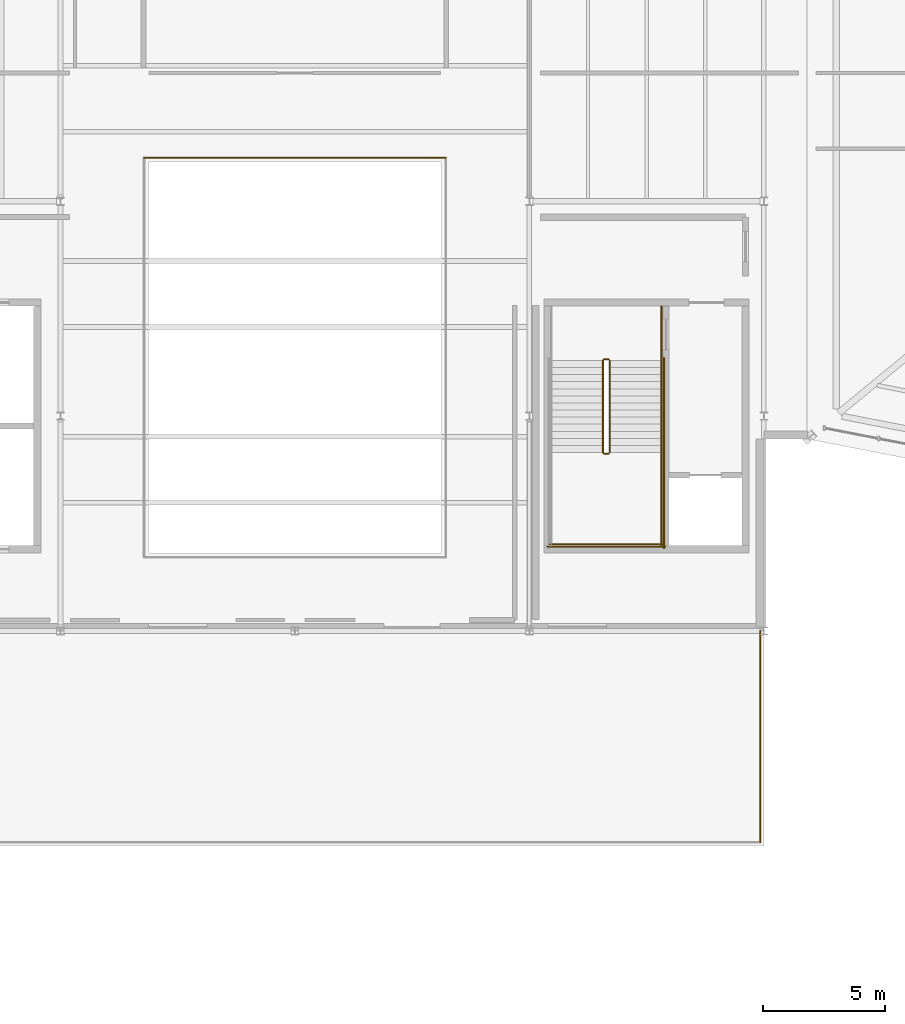
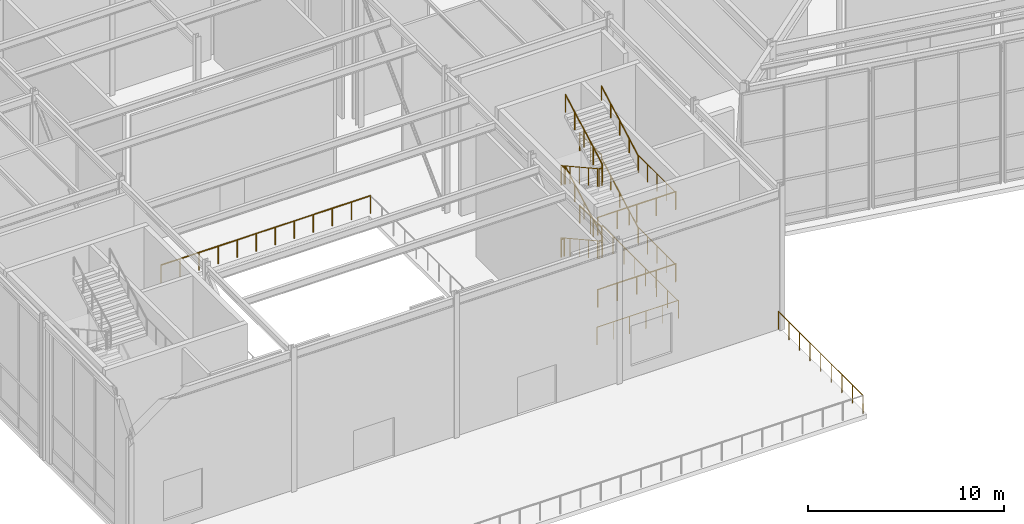
# One storey, part 44 of 48: 20 railings.
"""IFC4 building model written with IfcOpenShell, lengths in metres."""

from ifc_helpers import new_model, si_unit, direction, frame, origin, origin_2d, place, context, subcontext, project, spatial, circle, extrude, material, layer, layer_set, type_object, element, save


model = new_model("IFC4")

# Units and contexts
model_context = context("Model", 3, precision=1e-05, world=origin(), true_north=direction((0.0, 1.0)))
body_context = subcontext(model_context, "Body", "Model", "MODEL_VIEW")
ifc_project = project(units=[si_unit("LENGTHUNIT", "METRE"), si_unit("AREAUNIT", "SQUARE_METRE"), si_unit("VOLUMEUNIT", "CUBIC_METRE"), si_unit("PLANEANGLEUNIT", "RADIAN"), si_unit("MASSUNIT", "GRAM", prefix="KILO")], contexts=[model_context])

# Site, building, storey
site_placement = place(None, origin())
site = spatial("IfcSite", under=ifc_project, at=site_placement, CompositionType="ELEMENT")
building_placement = place(site_placement, origin())
building = spatial("IfcBuilding", under=site, at=building_placement, Name="Sarnbrook Museum", CompositionType="ELEMENT")
storey_placement = place(building_placement, frame((0.0, 0.0, 19.10009765625)))
storey = spatial("IfcBuildingStorey", under=building, at=storey_placement, Name="L04", CompositionType="ELEMENT", Elevation=19.10009765625)

# Railings
ifc_material_1 = material(Name="Brushed Stainless Steel Grade 316", Category="steel")
ifc_layer_1 = layer(ifc_material_1, 0.050048828125)
ifc_layer_set_1 = layer_set([ifc_layer_1], Name="Brushed Stainless Steel Grade 316")
railing_type_1 = type_object("IfcRailingType", Name="Guard_Int1120", PredefinedType="BALUSTRADE", material=ifc_layer_set_1)
railing_1_placement = place(storey_placement, frame((112.610107421875, 67.8798828125, 0.16064453125)))
element("IfcRailing", 1, at=railing_1_placement, inside=storey, type_object=railing_type_1, Name="L04 ST1 stair guard 1", PredefinedType="BALUSTRADE", context=body_context, shape_type="SweptSolid", body=[
    extrude(circle(Radius=0.02392578125, at=origin_2d()), frame((0.0, 0.0, 1.09619140625), z_axis=(0.0, -0.874645791573, 0.484762559697), x_axis=(1.0, 0.0, 0.0)), (0.0, 0.0, 1.0), 4.31005859375),
    extrude(circle(Radius=0.02099609375, at=origin_2d()), origin(), (0.0, 0.0, 1.0), 1.072021484375),
    extrude(circle(Radius=0.02099609375, at=origin_2d()), frame((0.0, -0.9423828125, 0.5224609375)), (0.0, 0.0, 1.0), 1.072021484375),
    extrude(circle(Radius=0.02099609375, at=origin_2d()), frame((0.0, -1.884765625, 1.044677734375)), (0.0, 0.0, 1.0), 1.072021484375),
    extrude(circle(Radius=0.02099609375, at=origin_2d()), frame((0.0, -2.827392578125, 1.56689453125)), (0.0, 0.0, 1.0), 1.072021484375),
    extrude(circle(Radius=0.02099609375, at=origin_2d()), frame((0.0, -3.769775390625, 2.08935546875)), (0.0, 0.0, 1.0), 1.072021484375),
])
railing_2_placement = place(storey_placement, frame((112.659912109375, 64.06005859375, 2.25)))
element("IfcRailing", 2, at=railing_2_placement, inside=storey, type_object=railing_type_1, Name="L04 ST1 stair guard 2", PredefinedType="BALUSTRADE", context=body_context, shape_type="SweptSolid", body=[
    extrude(circle(Radius=0.02392578125, at=origin_2d()), frame((0.0, 0.0, 1.09619140625), z_axis=(1.0, 0.0, 0.0), x_axis=(0.0, 1.0, 0.0)), (0.0, 0.0, 1.0), 0.18017578125),
    extrude(circle(Radius=0.02099609375, at=origin_2d()), origin(), (0.0, 0.0, 1.0), 1.072021484375),
    extrude(circle(Radius=0.02099609375, at=origin_2d()), frame((0.18017578125, 0.0, 0.0)), (0.0, 0.0, 1.0), 1.072021484375),
])
railing_3_placement = place(storey_placement, frame((115.010009765625, 64.110107421875, 2.25)))
element("IfcRailing", 3, at=railing_3_placement, inside=storey, type_object=railing_type_1, Name="L04 ST1 stair guard 4", PredefinedType="BALUSTRADE", context=body_context, shape_type="SweptSolid", body=[
    extrude(circle(Radius=0.02392578125, at=origin_2d()), frame((0.0, 0.0, 1.09619140625), z_axis=(0.0, -1.0, 0.0), x_axis=(1.0, 0.0, 0.0)), (0.0, 0.0, 1.0), 3.81005859375),
    extrude(circle(Radius=0.02099609375, at=origin_2d()), origin(), (0.0, 0.0, 1.0), 1.072021484375),
    extrude(circle(Radius=0.02099609375, at=origin_2d()), frame((0.0, -0.95263671875, 0.0)), (0.0, 0.0, 1.0), 1.072021484375),
    extrude(circle(Radius=0.02099609375, at=origin_2d()), frame((0.0, -1.905029296875, 0.0)), (0.0, 0.0, 1.0), 1.072021484375),
    extrude(circle(Radius=0.02099609375, at=origin_2d()), frame((0.0, -2.857421875, 0.0)), (0.0, 0.0, 1.0), 1.072021484375),
    extrude(circle(Radius=0.02099609375, at=origin_2d()), frame((0.0, -3.81005859375, 0.0)), (0.0, 0.0, 1.0), 1.072021484375),
])
railing_4_placement = place(storey_placement, frame((110.43994140625, 60.35009765625, 2.25)))
element("IfcRailing", 4, at=railing_4_placement, inside=storey, type_object=railing_type_1, Name="L04 ST1 stair guard 5", PredefinedType="BALUSTRADE", context=body_context, shape_type="SweptSolid", body=[
    extrude(circle(Radius=0.02392578125, at=origin_2d()), frame((0.0, 0.0, 1.09619140625), z_axis=(1.0, 0.0, 0.0), x_axis=(0.0, 1.0, 0.0)), (0.0, 0.0, 1.0), 4.6201171875),
    extrude(circle(Radius=0.02099609375, at=origin_2d()), origin(), (0.0, 0.0, 1.0), 1.072021484375),
    extrude(circle(Radius=0.02099609375, at=origin_2d()), frame((1.155029296875, 0.0, 0.0)), (0.0, 0.0, 1.0), 1.072021484375),
    extrude(circle(Radius=0.02099609375, at=origin_2d()), frame((2.31005859375, 0.0, 0.0)), (0.0, 0.0, 1.0), 1.072021484375),
    extrude(circle(Radius=0.02099609375, at=origin_2d()), frame((3.465087890625, 0.0, 0.0)), (0.0, 0.0, 1.0), 1.072021484375),
    extrude(circle(Radius=0.02099609375, at=origin_2d()), frame((4.6201171875, 0.0, 0.0)), (0.0, 0.0, 1.0), 1.072021484375),
])
railing_5_placement = place(storey_placement, frame((112.889892578125, 64.110107421875, 2.41064453125)))
element("IfcRailing", 5, at=railing_5_placement, inside=storey, type_object=railing_type_1, Name="L04 ST1 stair guard 6", PredefinedType="BALUSTRADE", context=body_context, shape_type="SweptSolid", body=[
    extrude(circle(Radius=0.02392578125, at=origin_2d()), frame((0.0, 0.0, 1.09619140625), z_axis=(0.0, 0.874645791573, 0.484762559697), x_axis=(-1.0, 0.0, 0.0)), (0.0, 0.0, 1.0), 4.31005859375),
    extrude(circle(Radius=0.02099609375, at=origin_2d()), origin(), (0.0, 0.0, 1.0), 1.072021484375),
    extrude(circle(Radius=0.02099609375, at=origin_2d()), frame((0.0, 0.9423828125, 0.5224609375)), (0.0, 0.0, 1.0), 1.072021484375),
    extrude(circle(Radius=0.02099609375, at=origin_2d()), frame((0.0, 1.884765625, 1.044677734375)), (0.0, 0.0, 1.0), 1.072021484375),
    extrude(circle(Radius=0.02099609375, at=origin_2d()), frame((0.0, 2.827392578125, 1.56689453125)), (0.0, 0.0, 1.0), 1.072021484375),
    extrude(circle(Radius=0.02099609375, at=origin_2d()), frame((0.0, 3.769775390625, 2.08935546875)), (0.0, 0.0, 1.0), 1.072021484375),
])
railing_6_placement = place(storey_placement, frame((112.659912109375, 67.929931640625, 4.5)))
element("IfcRailing", 6, at=railing_6_placement, inside=storey, type_object=railing_type_1, Name="L04 ST1 stair guard 7", PredefinedType="BALUSTRADE", context=body_context, shape_type="SweptSolid", body=[
    extrude(circle(Radius=0.02392578125, at=origin_2d()), frame((0.0, 0.0, 1.09619140625), z_axis=(1.0, 0.0, 0.0), x_axis=(0.0, 1.0, 0.0)), (0.0, 0.0, 1.0), 0.18017578125),
    extrude(circle(Radius=0.02099609375, at=origin_2d()), origin(), (0.0, 0.0, 1.0), 1.072021484375),
    extrude(circle(Radius=0.02099609375, at=origin_2d()), frame((0.18017578125, 0.0, 0.0)), (0.0, 0.0, 1.0), 1.072021484375),
])
railing_7_placement = place(storey_placement, frame((115.010009765625, 70.10009765625, 4.5)))
element("IfcRailing", 7, at=railing_7_placement, inside=storey, type_object=railing_type_1, Name="L04 ST1 stair guard 9", PredefinedType="BALUSTRADE", context=body_context, shape_type="SweptSolid", body=[
    extrude(circle(Radius=0.02392578125, at=origin_2d()), frame((0.0, 0.0, 1.09619140625), z_axis=(0.0, -1.0, 0.0), x_axis=(1.0, 0.0, 0.0)), (0.0, 0.0, 1.0), 2.22021484375),
    extrude(circle(Radius=0.02099609375, at=origin_2d()), origin(), (0.0, 0.0, 1.0), 1.072021484375),
    extrude(circle(Radius=0.02099609375, at=origin_2d()), frame((0.0, -1.110107421875, 0.0)), (0.0, 0.0, 1.0), 1.072021484375),
    extrude(circle(Radius=0.02099609375, at=origin_2d()), frame((0.0, -2.22021484375, 0.0)), (0.0, 0.0, 1.0), 1.072021484375),
])
railing_8_placement = place(storey_placement, frame((112.610107421875, 67.8798828125, 4.66064453125)))
element("IfcRailing", 8, at=railing_8_placement, inside=storey, type_object=railing_type_1, Name="L04 ST1 stair guard 10", PredefinedType="BALUSTRADE", context=body_context, shape_type="SweptSolid", body=[
    extrude(circle(Radius=0.02392578125, at=origin_2d()), frame((0.0, 0.0, 1.09619140625), z_axis=(0.0, -0.874645791573, 0.484762559697), x_axis=(1.0, 0.0, 0.0)), (0.0, 0.0, 1.0), 4.31005859375),
    extrude(circle(Radius=0.02099609375, at=origin_2d()), origin(), (0.0, 0.0, 1.0), 1.072021484375),
    extrude(circle(Radius=0.02099609375, at=origin_2d()), frame((0.0, -0.9423828125, 0.5224609375)), (0.0, 0.0, 1.0), 1.072021484375),
    extrude(circle(Radius=0.02099609375, at=origin_2d()), frame((0.0, -1.884765625, 1.044677734375)), (0.0, 0.0, 1.0), 1.072021484375),
    extrude(circle(Radius=0.02099609375, at=origin_2d()), frame((0.0, -2.827392578125, 1.56689453125)), (0.0, 0.0, 1.0), 1.072021484375),
    extrude(circle(Radius=0.02099609375, at=origin_2d()), frame((0.0, -3.769775390625, 2.08935546875)), (0.0, 0.0, 1.0), 1.072021484375),
])
railing_9_placement = place(storey_placement, frame((112.659912109375, 64.06005859375, 6.75)))
element("IfcRailing", 9, at=railing_9_placement, inside=storey, type_object=railing_type_1, Name="L04 ST1 stair guard 11", PredefinedType="BALUSTRADE", context=body_context, shape_type="SweptSolid", body=[
    extrude(circle(Radius=0.02392578125, at=origin_2d()), frame((0.0, 0.0, 1.09619140625), z_axis=(1.0, 0.0, 0.0), x_axis=(0.0, 1.0, 0.0)), (0.0, 0.0, 1.0), 0.18017578125),
    extrude(circle(Radius=0.02099609375, at=origin_2d()), origin(), (0.0, 0.0, 1.0), 1.072021484375),
    extrude(circle(Radius=0.02099609375, at=origin_2d()), frame((0.18017578125, 0.0, 0.0)), (0.0, 0.0, 1.0), 1.072021484375),
])
railing_10_placement = place(storey_placement, frame((115.010009765625, 64.110107421875, 6.75)))
element("IfcRailing", 10, at=railing_10_placement, inside=storey, type_object=railing_type_1, Name="L04 ST1 stair guard 13", PredefinedType="BALUSTRADE", context=body_context, shape_type="SweptSolid", body=[
    extrude(circle(Radius=0.02392578125, at=origin_2d()), frame((0.0, 0.0, 1.09619140625), z_axis=(0.0, -1.0, 0.0), x_axis=(1.0, 0.0, 0.0)), (0.0, 0.0, 1.0), 3.81005859375),
    extrude(circle(Radius=0.02099609375, at=origin_2d()), origin(), (0.0, 0.0, 1.0), 1.072021484375),
    extrude(circle(Radius=0.02099609375, at=origin_2d()), frame((0.0, -0.95263671875, 0.0)), (0.0, 0.0, 1.0), 1.072021484375),
    extrude(circle(Radius=0.02099609375, at=origin_2d()), frame((0.0, -1.905029296875, 0.0)), (0.0, 0.0, 1.0), 1.072021484375),
    extrude(circle(Radius=0.02099609375, at=origin_2d()), frame((0.0, -2.857421875, 0.0)), (0.0, 0.0, 1.0), 1.072021484375),
    extrude(circle(Radius=0.02099609375, at=origin_2d()), frame((0.0, -3.81005859375, 0.0)), (0.0, 0.0, 1.0), 1.072021484375),
])
railing_11_placement = place(storey_placement, frame((110.43994140625, 60.35009765625, 6.75)))
element("IfcRailing", 11, at=railing_11_placement, inside=storey, type_object=railing_type_1, Name="L04 ST1 stair guard 14", PredefinedType="BALUSTRADE", context=body_context, shape_type="SweptSolid", body=[
    extrude(circle(Radius=0.02392578125, at=origin_2d()), frame((0.0, 0.0, 1.09619140625), z_axis=(1.0, 0.0, 0.0), x_axis=(0.0, 1.0, 0.0)), (0.0, 0.0, 1.0), 4.6201171875),
    extrude(circle(Radius=0.02099609375, at=origin_2d()), origin(), (0.0, 0.0, 1.0), 1.072021484375),
    extrude(circle(Radius=0.02099609375, at=origin_2d()), frame((1.155029296875, 0.0, 0.0)), (0.0, 0.0, 1.0), 1.072021484375),
    extrude(circle(Radius=0.02099609375, at=origin_2d()), frame((2.31005859375, 0.0, 0.0)), (0.0, 0.0, 1.0), 1.072021484375),
    extrude(circle(Radius=0.02099609375, at=origin_2d()), frame((3.465087890625, 0.0, 0.0)), (0.0, 0.0, 1.0), 1.072021484375),
    extrude(circle(Radius=0.02099609375, at=origin_2d()), frame((4.6201171875, 0.0, 0.0)), (0.0, 0.0, 1.0), 1.072021484375),
])
railing_12_placement = place(storey_placement, frame((112.889892578125, 64.110107421875, 6.91064453125)))
element("IfcRailing", 12, at=railing_12_placement, inside=storey, type_object=railing_type_1, Name="L04 ST1 stair guard 15", PredefinedType="BALUSTRADE", context=body_context, shape_type="SweptSolid", body=[
    extrude(circle(Radius=0.02392578125, at=origin_2d()), frame((0.0, 0.0, 1.09619140625), z_axis=(0.0, 0.874645791573, 0.484762559697), x_axis=(-1.0, 0.0, 0.0)), (0.0, 0.0, 1.0), 4.31005859375),
    extrude(circle(Radius=0.02099609375, at=origin_2d()), origin(), (0.0, 0.0, 1.0), 1.072021484375),
    extrude(circle(Radius=0.02099609375, at=origin_2d()), frame((0.0, 0.9423828125, 0.5224609375)), (0.0, 0.0, 1.0), 1.072021484375),
    extrude(circle(Radius=0.02099609375, at=origin_2d()), frame((0.0, 1.884765625, 1.044677734375)), (0.0, 0.0, 1.0), 1.072021484375),
    extrude(circle(Radius=0.02099609375, at=origin_2d()), frame((0.0, 2.827392578125, 1.56689453125)), (0.0, 0.0, 1.0), 1.072021484375),
    extrude(circle(Radius=0.02099609375, at=origin_2d()), frame((0.0, 3.769775390625, 2.08935546875)), (0.0, 0.0, 1.0), 1.072021484375),
])
railing_13_placement = place(storey_placement, frame((112.659912109375, 67.929931640625, 0.0)))
element("IfcRailing", 13, at=railing_13_placement, inside=storey, type_object=railing_type_1, Name="L04 ST1 stair guard 16", PredefinedType="BALUSTRADE", context=body_context, shape_type="SweptSolid", body=[
    extrude(circle(Radius=0.02392578125, at=origin_2d()), frame((0.0, 0.0, 1.09619140625), z_axis=(1.0, 0.0, 0.0), x_axis=(0.0, 1.0, 0.0)), (0.0, 0.0, 1.0), 0.18017578125),
    extrude(circle(Radius=0.02099609375, at=origin_2d()), origin(), (0.0, 0.0, 1.0), 1.072021484375),
    extrude(circle(Radius=0.02099609375, at=origin_2d()), frame((0.18017578125, 0.0, 0.0)), (0.0, 0.0, 1.0), 1.072021484375),
])
railing_14_placement = place(storey_placement, frame((115.010009765625, 70.10009765625, 0.0)))
element("IfcRailing", 14, at=railing_14_placement, inside=storey, type_object=railing_type_1, Name="L04 ST1 stair guard 18", PredefinedType="BALUSTRADE", context=body_context, shape_type="SweptSolid", body=[
    extrude(circle(Radius=0.02392578125, at=origin_2d()), frame((0.0, 0.0, 1.09619140625), z_axis=(0.0, -1.0, 0.0), x_axis=(1.0, 0.0, 0.0)), (0.0, 0.0, 1.0), 2.22021484375),
    extrude(circle(Radius=0.02099609375, at=origin_2d()), origin(), (0.0, 0.0, 1.0), 1.072021484375),
    extrude(circle(Radius=0.02099609375, at=origin_2d()), frame((0.0, -1.110107421875, 0.0)), (0.0, 0.0, 1.0), 1.072021484375),
    extrude(circle(Radius=0.02099609375, at=origin_2d()), frame((0.0, -2.22021484375, 0.0)), (0.0, 0.0, 1.0), 1.072021484375),
])
railing_15_placement = place(storey_placement, frame((115.110107421875, 67.97998046875, 0.0)))
element("IfcRailing", 15, at=railing_15_placement, inside=storey, type_object=railing_type_1, Name="L04 ST1 stair guard 20", PredefinedType="BALUSTRADE", context=body_context, shape_type="SweptSolid", body=[
    extrude(circle(Radius=0.02392578125, at=origin_2d()), frame((0.0, 0.0, 1.09619140625), z_axis=(0.0, -1.0, 0.0), x_axis=(1.0, 0.0, 0.0)), (0.0, 0.0, 1.0), 7.780029296875),
    extrude(circle(Radius=0.02099609375, at=origin_2d()), origin(), (0.0, 0.0, 1.0), 1.072021484375),
    extrude(circle(Radius=0.02099609375, at=origin_2d()), frame((0.0, -1.111328125, 0.0)), (0.0, 0.0, 1.0), 1.072021484375),
    extrude(circle(Radius=0.02099609375, at=origin_2d()), frame((0.0, -2.222900390625, 0.0)), (0.0, 0.0, 1.0), 1.072021484375),
    extrude(circle(Radius=0.02099609375, at=origin_2d()), frame((0.0, -3.334228515625, 0.0)), (0.0, 0.0, 1.0), 1.072021484375),
    extrude(circle(Radius=0.02099609375, at=origin_2d()), frame((0.0, -4.44580078125, 0.0)), (0.0, 0.0, 1.0), 1.072021484375),
    extrude(circle(Radius=0.02099609375, at=origin_2d()), frame((0.0, -5.55712890625, 0.0)), (0.0, 0.0, 1.0), 1.072021484375),
    extrude(circle(Radius=0.02099609375, at=origin_2d()), frame((0.0, -6.668701171875, 0.0)), (0.0, 0.0, 1.0), 1.072021484375),
    extrude(circle(Radius=0.02099609375, at=origin_2d()), frame((0.0, -7.780029296875, 0.0)), (0.0, 0.0, 1.0), 1.072021484375),
])
railing_16_placement = place(storey_placement, frame((110.340087890625, 60.25, 0.0)))
element("IfcRailing", 16, at=railing_16_placement, inside=storey, type_object=railing_type_1, Name="L04 ST1 stair guard 21", PredefinedType="BALUSTRADE", context=body_context, shape_type="SweptSolid", body=[
    extrude(circle(Radius=0.02392578125, at=origin_2d()), frame((0.0, 0.0, 1.09619140625), z_axis=(1.0, 0.0, 0.0), x_axis=(0.0, 1.0, 0.0)), (0.0, 0.0, 1.0), 4.81982421875),
    extrude(circle(Radius=0.02099609375, at=origin_2d()), origin(), (0.0, 0.0, 1.0), 1.072021484375),
    extrude(circle(Radius=0.02099609375, at=origin_2d()), frame((0.9638671875, 0.0, 0.0)), (0.0, 0.0, 1.0), 1.072021484375),
    extrude(circle(Radius=0.02099609375, at=origin_2d()), frame((1.927978515625, 0.0, 0.0)), (0.0, 0.0, 1.0), 1.072021484375),
    extrude(circle(Radius=0.02099609375, at=origin_2d()), frame((2.891845703125, 0.0, 0.0)), (0.0, 0.0, 1.0), 1.072021484375),
    extrude(circle(Radius=0.02099609375, at=origin_2d()), frame((3.85595703125, 0.0, 0.0)), (0.0, 0.0, 1.0), 1.072021484375),
    extrude(circle(Radius=0.02099609375, at=origin_2d()), frame((4.81982421875, 0.0, 0.0)), (0.0, 0.0, 1.0), 1.072021484375),
])
railing_17_placement = place(storey_placement, frame((106.179931640625, 76.179931640625, 0.0)))
element("IfcRailing", 17, at=railing_17_placement, inside=storey, type_object=railing_type_1, Name="Atrium Gallery Balustrade L04-3", PredefinedType="BALUSTRADE", context=body_context, shape_type="SweptSolid", body=[
    extrude(circle(Radius=0.02392578125, at=origin_2d()), frame((0.0, 0.0, 1.09619140625), z_axis=(-1.0, 0.0, 0.0), x_axis=(0.0, -1.0, 0.0)), (0.0, 0.0, 1.0), 12.35986328125),
    extrude(circle(Radius=0.02099609375, at=origin_2d()), origin(), (0.0, 0.0, 1.0), 1.072021484375),
    extrude(circle(Radius=0.02099609375, at=origin_2d()), frame((-1.12353515625, 0.0, 0.0)), (0.0, 0.0, 1.0), 1.072021484375),
    extrude(circle(Radius=0.02099609375, at=origin_2d()), frame((-2.247314453125, 0.0, 0.0)), (0.0, 0.0, 1.0), 1.072021484375),
    extrude(circle(Radius=0.02099609375, at=origin_2d()), frame((-3.370849609375, 0.0, 0.0)), (0.0, 0.0, 1.0), 1.072021484375),
    extrude(circle(Radius=0.02099609375, at=origin_2d()), frame((-4.494384765625, 0.0, 0.0)), (0.0, 0.0, 1.0), 1.072021484375),
    extrude(circle(Radius=0.02099609375, at=origin_2d()), frame((-5.6181640625, 0.0, 0.0)), (0.0, 0.0, 1.0), 1.072021484375),
    extrude(circle(Radius=0.02099609375, at=origin_2d()), frame((-6.74169921875, 0.0, 0.0)), (0.0, 0.0, 1.0), 1.072021484375),
    extrude(circle(Radius=0.02099609375, at=origin_2d()), frame((-7.865478515625, 0.0, 0.0)), (0.0, 0.0, 1.0), 1.072021484375),
    extrude(circle(Radius=0.02099609375, at=origin_2d()), frame((-8.989013671875, 0.0, 0.0)), (0.0, 0.0, 1.0), 1.072021484375),
    extrude(circle(Radius=0.02099609375, at=origin_2d()), frame((-10.112548828125, 0.0, 0.0)), (0.0, 0.0, 1.0), 1.072021484375),
    extrude(circle(Radius=0.02099609375, at=origin_2d()), frame((-11.236328125, 0.0, 0.0)), (0.0, 0.0, 1.0), 1.072021484375),
    extrude(circle(Radius=0.02099609375, at=origin_2d()), frame((-12.35986328125, 0.0, 0.0)), (0.0, 0.0, 1.0), 1.072021484375),
])
ifc_material_2 = material(Name="Patinated Architectural Bronze")
railing_type_2 = type_object("IfcRailingType", Name="Guardrail_Terrace1150", PredefinedType="GUARDRAIL", material=ifc_material_2)
railing_18_placement = place(storey_placement, frame((119.050048828125, 48.14990234375, 0.0)))
element("IfcRailing", 18, at=railing_18_placement, inside=storey, type_object=railing_type_2, Name="South Concourse Roof Garden Terrace Guardrail L04-3", PredefinedType="GUARDRAIL", context=body_context, shape_type="SweptSolid", body=[
    extrude(circle(Radius=0.02392578125, at=origin_2d()), frame((0.0, 0.0, 1.1259765625), z_axis=(0.0, 1.0, 0.0), x_axis=(-1.0, 0.0, 0.0)), (0.0, 0.0, 1.0), 8.650146484375),
    extrude(circle(Radius=0.02099609375, at=origin_2d()), origin(), (0.0, 0.0, 1.0), 1.101806640625),
    extrude(circle(Radius=0.02099609375, at=origin_2d()), frame((0.0, 1.081298828125, 0.0)), (0.0, 0.0, 1.0), 1.101806640625),
    extrude(circle(Radius=0.02099609375, at=origin_2d()), frame((0.0, 2.16259765625, 0.0)), (0.0, 0.0, 1.0), 1.101806640625),
    extrude(circle(Radius=0.02099609375, at=origin_2d()), frame((0.0, 3.243896484375, 0.0)), (0.0, 0.0, 1.0), 1.101806640625),
    extrude(circle(Radius=0.02099609375, at=origin_2d()), frame((0.0, 4.3251953125, 0.0)), (0.0, 0.0, 1.0), 1.101806640625),
    extrude(circle(Radius=0.02099609375, at=origin_2d()), frame((0.0, 5.40625, 0.0)), (0.0, 0.0, 1.0), 1.101806640625),
    extrude(circle(Radius=0.02099609375, at=origin_2d()), frame((0.0, 6.487548828125, 0.0)), (0.0, 0.0, 1.0), 1.101806640625),
    extrude(circle(Radius=0.02099609375, at=origin_2d()), frame((0.0, 7.56884765625, 0.0)), (0.0, 0.0, 1.0), 1.101806640625),
    extrude(circle(Radius=0.02099609375, at=origin_2d()), frame((0.0, 8.650146484375, 0.0)), (0.0, 0.0, 1.0), 1.101806640625),
])
ifc_layer_2 = layer(ifc_material_1, 0.048095703125)
ifc_layer_set_2 = layer_set([ifc_layer_2], Name="Brushed Stainless Steel Grade 316")
railing_type_3 = type_object("IfcRailingType", Name="Handrail_920", PredefinedType="HANDRAIL", material=ifc_layer_set_2)
for number, where, name in (
    (19, (115.010009765625, 64.110107421875, 2.41064453125), "L04 ST1 stair handrail 2"),
    (20, (115.010009765625, 64.110107421875, 6.91064453125), "L04 ST1 stair handrail 4"),
):
    element("IfcRailing", number, at=place(storey_placement, frame(where)), inside=storey, type_object=railing_type_3, Name=name, PredefinedType="HANDRAIL", context=body_context, shape_type="SweptSolid", body=[
        extrude(circle(Radius=0.02392578125, at=origin_2d()), frame((0.0, 0.0, 0.8857421875), z_axis=(0.0, 0.874645791573, 0.484762559697), x_axis=(-1.0, 0.0, 0.0)), (0.0, 0.0, 1.0), 4.31005859375),
        extrude(circle(Radius=0.02099609375, at=origin_2d()), origin(), (0.0, 0.0, 1.0), 0.86181640625),
        extrude(circle(Radius=0.02099609375, at=origin_2d()), frame((0.0, 0.9423828125, 0.5224609375)), (0.0, 0.0, 1.0), 0.86181640625),
        extrude(circle(Radius=0.02099609375, at=origin_2d()), frame((0.0, 1.884765625, 1.044677734375)), (0.0, 0.0, 1.0), 0.86181640625),
        extrude(circle(Radius=0.02099609375, at=origin_2d()), frame((0.0, 2.827392578125, 1.56689453125)), (0.0, 0.0, 1.0), 0.86181640625),
        extrude(circle(Radius=0.02099609375, at=origin_2d()), frame((0.0, 3.769775390625, 2.08935546875)), (0.0, 0.0, 1.0), 0.86181640625),
    ])

save(model, "model.ifc")
